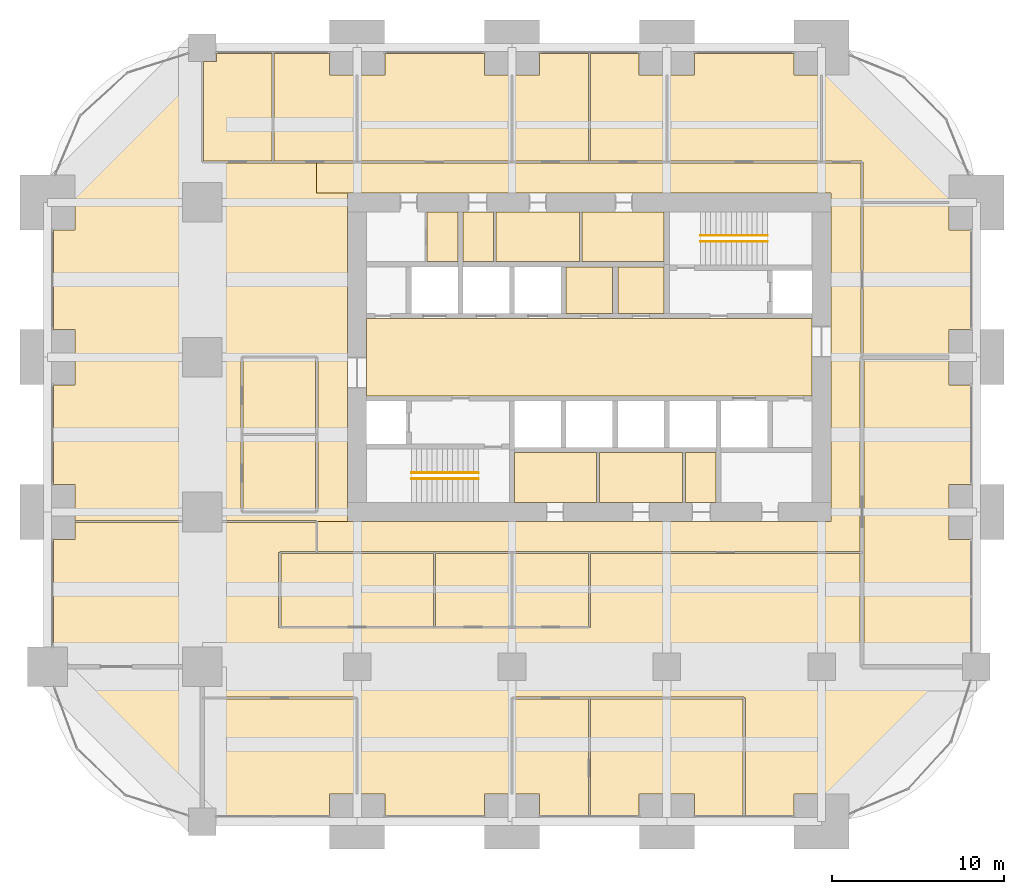
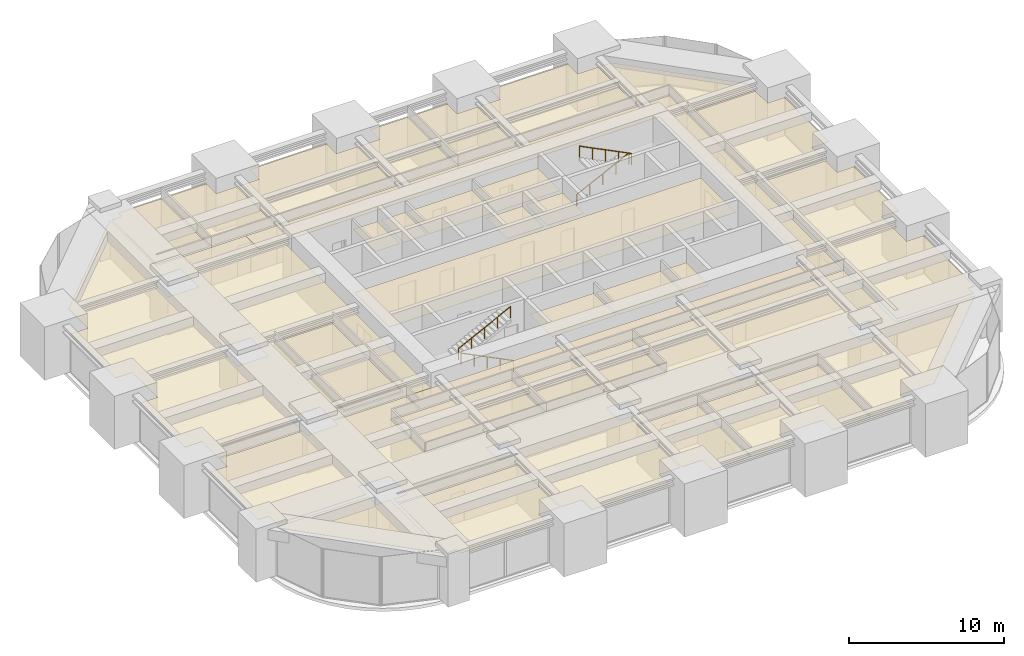
# One storey, part 39 of 39: 31 coverings, 4 railings.
"""IFC4 building model written with IfcOpenShell, lengths in metres."""

from ifc_helpers import new_model, si_unit, direction, frame, origin, origin_2d, place, context, subcontext, project, spatial, polyline, circle, outline, extrude, material, layer, layer_set, type_object, element, save


model = new_model("IFC4")

# Units and contexts
model_context = context("Model", 3, precision=1e-05, world=origin(), true_north=direction((0.0, 1.0)))
body_context = subcontext(model_context, "Body", "Model", "MODEL_VIEW")
ifc_project = project(units=[si_unit("LENGTHUNIT", "METRE"), si_unit("AREAUNIT", "SQUARE_METRE"), si_unit("VOLUMEUNIT", "CUBIC_METRE"), si_unit("PLANEANGLEUNIT", "RADIAN"), si_unit("MASSUNIT", "GRAM", prefix="KILO")], contexts=[model_context])

# Site, building, storey
site_placement = place(None, origin())
site = spatial("IfcSite", under=ifc_project, at=site_placement, CompositionType="ELEMENT")
building_placement = place(site_placement, origin())
building = spatial("IfcBuilding", under=site, at=building_placement, Name="Zorevar Civic Tower", CompositionType="ELEMENT")
storey_placement = place(building_placement, frame((0.0, 0.0, 230.199951171875)))
storey = spatial("IfcBuildingStorey", under=building, at=storey_placement, Name="L56", CompositionType="ELEMENT", Elevation=230.199951171875)

# Railings
ifc_material_1 = material(Name="Black steel handrail", Category="steel")
railing_type = type_object("IfcRailingType", Name="Handrail HR1 900", PredefinedType="HANDRAIL", material=ifc_material_1)
railing_1_placement = place(storey_placement, frame((25.050048828125, 19.925048828125, 0.150146484375)))
element("IfcRailing", 1, at=railing_1_placement, inside=storey, type_object=railing_type, Name="Handrail HR1 ST1 L56", PredefinedType="HANDRAIL", context=body_context, shape_type="SweptSolid", body=[
    extrude(circle(Radius=0.02392578125, at=origin_2d()), frame((0.0, 0.0, 0.8759765625), z_axis=(-0.894438388696, 0.0, 0.447191199406), x_axis=(0.0, -1.0, 0.0)), (0.0, 0.0, 1.0), 4.3603515625),
    extrude(circle(Radius=0.02099609375, at=origin_2d()), origin(), (0.0, 0.0, 1.0), 0.851806640625),
    extrude(circle(Radius=0.02099609375, at=origin_2d()), frame((-0.97509765625, 0.0, 0.487548828125)), (0.0, 0.0, 1.0), 0.851806640625),
    extrude(circle(Radius=0.02099609375, at=origin_2d()), frame((-1.9501953125, 0.0, 0.97509765625)), (0.0, 0.0, 1.0), 0.851806640625),
    extrude(circle(Radius=0.02099609375, at=origin_2d()), frame((-2.925048828125, 0.0, 1.46240234375)), (0.0, 0.0, 1.0), 0.851806640625),
    extrude(circle(Radius=0.02099609375, at=origin_2d()), frame((-3.900146484375, 0.0, 1.949951171875)), (0.0, 0.0, 1.0), 0.851806640625),
])
for number, where, name in (
    (2, (21.14990234375, 20.27490234375, 2.25), "Handrail HR1 ST1 L56"),
    (3, (37.949951171875, 34.074951171875, 0.150146484375), "Handrail HR1 ST2 L56"),
):
    element("IfcRailing", number, at=place(storey_placement, frame(where)), inside=storey, type_object=railing_type, Name=name, PredefinedType="HANDRAIL", context=body_context, shape_type="SweptSolid", body=[
        extrude(circle(Radius=0.02392578125, at=origin_2d()), frame((0.0, 0.0, 0.8759765625), z_axis=(0.894438388696, 0.0, 0.447191199406), x_axis=(0.0, 1.0, 0.0)), (0.0, 0.0, 1.0), 4.3603515625),
        extrude(circle(Radius=0.02099609375, at=origin_2d()), origin(), (0.0, 0.0, 1.0), 0.851806640625),
        extrude(circle(Radius=0.02099609375, at=origin_2d()), frame((0.97509765625, 0.0, 0.487548828125)), (0.0, 0.0, 1.0), 0.851806640625),
        extrude(circle(Radius=0.02099609375, at=origin_2d()), frame((1.9501953125, 0.0, 0.97509765625)), (0.0, 0.0, 1.0), 0.851806640625),
        extrude(circle(Radius=0.02099609375, at=origin_2d()), frame((2.925048828125, 0.0, 1.46240234375)), (0.0, 0.0, 1.0), 0.851806640625),
        extrude(circle(Radius=0.02099609375, at=origin_2d()), frame((3.900146484375, 0.0, 1.949951171875)), (0.0, 0.0, 1.0), 0.851806640625),
    ])
railing_2_placement = place(storey_placement, frame((41.85009765625, 33.72509765625, 2.25)))
element("IfcRailing", 4, at=railing_2_placement, inside=storey, type_object=railing_type, Name="Handrail HR1 ST2 L56", PredefinedType="HANDRAIL", context=body_context, shape_type="SweptSolid", body=[
    extrude(circle(Radius=0.02392578125, at=origin_2d()), frame((0.0, 0.0, 0.8759765625), z_axis=(-0.894438388696, 0.0, 0.447191199406), x_axis=(0.0, -1.0, 0.0)), (0.0, 0.0, 1.0), 4.3603515625),
    extrude(circle(Radius=0.02099609375, at=origin_2d()), origin(), (0.0, 0.0, 1.0), 0.851806640625),
    extrude(circle(Radius=0.02099609375, at=origin_2d()), frame((-0.97509765625, 0.0, 0.487548828125)), (0.0, 0.0, 1.0), 0.851806640625),
    extrude(circle(Radius=0.02099609375, at=origin_2d()), frame((-1.9501953125, 0.0, 0.97509765625)), (0.0, 0.0, 1.0), 0.851806640625),
    extrude(circle(Radius=0.02099609375, at=origin_2d()), frame((-2.925048828125, 0.0, 1.46240234375)), (0.0, 0.0, 1.0), 0.851806640625),
    extrude(circle(Radius=0.02099609375, at=origin_2d()), frame((-3.900146484375, 0.0, 1.949951171875)), (0.0, 0.0, 1.0), 0.851806640625),
])

# Coverings
ifc_material_2 = material(Name="Moisture-resistant gypsum board")
ifc_layer_1 = layer(ifc_material_2, 0.012451171875)
ifc_layer_set_1 = layer_set([ifc_layer_1], Name="Moisture-resistant ceiling SC3")
covering_type_1 = type_object("IfcCoveringType", Name="Moisture-resistant ceiling SC3", PredefinedType="CEILING", material=ifc_layer_set_1)
covering_1_placement = place(storey_placement, frame((0.0, 0.0, 3.0)))
element("IfcCovering", 5, at=covering_1_placement, inside=storey, type_object=covering_type_1, Name="Ceiling L56-05", PredefinedType="CEILING", context=body_context, shape_type="SweptSolid", body=[
    extrude(outline(polyline([(31.925048828125, 18.550048828125), (31.925048828125, 21.449951171875), (27.14990234375, 21.449951171875), (27.14990234375, 18.550048828125), (31.925048828125, 18.550048828125)])), origin(), (0.0, 0.0, 1.0), 0.012451171875),
])
covering_2_placement = place(storey_placement, frame((0.0, 0.0, 3.0)))
element("IfcCovering", 6, at=covering_2_placement, inside=storey, type_object=covering_type_1, Name="Ceiling L56-06", PredefinedType="CEILING", context=body_context, shape_type="SweptSolid", body=[
    extrude(outline(polyline([(36.925048828125, 18.550048828125), (36.925048828125, 21.449951171875), (32.074951171875, 21.449951171875), (32.074951171875, 18.550048828125), (36.925048828125, 18.550048828125)])), origin(), (0.0, 0.0, 1.0), 0.012451171875),
])
covering_3_placement = place(storey_placement, frame((0.0, 0.0, 3.0)))
element("IfcCovering", 7, at=covering_3_placement, inside=storey, type_object=covering_type_1, Name="Ceiling L56-07", PredefinedType="CEILING", context=body_context, shape_type="SweptSolid", body=[
    extrude(outline(polyline([(38.85009765625, 18.550048828125), (38.85009765625, 21.449951171875), (37.074951171875, 21.449951171875), (37.074951171875, 18.550048828125), (38.85009765625, 18.550048828125)])), origin(), (0.0, 0.0, 1.0), 0.012451171875),
])
covering_4_placement = place(storey_placement, frame((0.0, 0.0, 3.0)))
element("IfcCovering", 8, at=covering_4_placement, inside=storey, type_object=covering_type_1, Name="Ceiling L56-08", PredefinedType="CEILING", context=body_context, shape_type="SweptSolid", body=[
    extrude(outline(polyline([(35.85009765625, 32.550048828125), (35.85009765625, 35.449951171875), (31.074951171875, 35.449951171875), (31.074951171875, 32.550048828125), (35.85009765625, 32.550048828125)])), origin(), (0.0, 0.0, 1.0), 0.012451171875),
])
covering_5_placement = place(storey_placement, frame((0.0, 0.0, 3.0)))
element("IfcCovering", 9, at=covering_5_placement, inside=storey, type_object=covering_type_1, Name="Ceiling L56-09", PredefinedType="CEILING", context=body_context, shape_type="SweptSolid", body=[
    extrude(outline(polyline([(30.925048828125, 32.550048828125), (30.925048828125, 35.449951171875), (26.074951171875, 35.449951171875), (26.074951171875, 32.550048828125), (30.925048828125, 32.550048828125)])), origin(), (0.0, 0.0, 1.0), 0.012451171875),
])
covering_6_placement = place(storey_placement, frame((0.0, 0.0, 3.0)))
element("IfcCovering", 10, at=covering_6_placement, inside=storey, type_object=covering_type_1, Name="Ceiling L56-10", PredefinedType="CEILING", context=body_context, shape_type="SweptSolid", body=[
    extrude(outline(polyline([(25.925048828125, 32.550048828125), (25.925048828125, 35.449951171875), (24.14990234375, 35.449951171875), (24.14990234375, 32.550048828125), (25.925048828125, 32.550048828125)])), origin(), (0.0, 0.0, 1.0), 0.012451171875),
])
ifc_material_3 = material(Name="Mineral fibre tiles on a concealed grid")
ifc_layer_2 = layer(ifc_material_3, 0.02001953125)
ifc_layer_set_2 = layer_set([ifc_layer_2], Name="Suspended ceiling SC1")
covering_type_2 = type_object("IfcCoveringType", Name="Suspended ceiling SC1", PredefinedType="CEILING", material=ifc_layer_set_2)
covering_7_placement = place(storey_placement, frame((0.0, 0.0, 3.0)))
element("IfcCovering", 11, at=covering_7_placement, inside=storey, type_object=covering_type_2, Name="Ceiling L56-12", PredefinedType="CEILING", context=body_context, shape_type="SweptSolid", body=[
    extrude(outline(polyline([(23.85009765625, 32.550048828125), (23.85009765625, 35.449951171875), (22.06005859375, 35.449951171875), (22.06005859375, 32.550048828125), (23.85009765625, 32.550048828125)])), origin(), (0.0, 0.0, 1.0), 0.02001953125),
])
covering_8_placement = place(storey_placement, frame((0.0, 0.0, 3.0)))
element("IfcCovering", 12, at=covering_8_placement, inside=storey, type_object=covering_type_2, Name="Ceiling L56-16", PredefinedType="CEILING", context=body_context, shape_type="SweptSolid", body=[
    extrude(outline(polyline([(44.449951171875, 24.75), (44.449951171875, 29.25), (18.550048828125, 29.25), (18.550048828125, 24.75), (44.449951171875, 24.75)])), origin(), (0.0, 0.0, 1.0), 0.02001953125),
])
covering_9_placement = place(storey_placement, frame((0.0, 0.0, 3.0)))
element("IfcCovering", 13, at=covering_9_placement, inside=storey, type_object=covering_type_2, Name="Ceiling L56-17", PredefinedType="CEILING", context=body_context, shape_type="SweptSolid", body=[
    extrude(outline(polyline([(35.85009765625, 29.550048828125), (35.85009765625, 32.25), (33.14990234375, 32.25), (33.14990234375, 29.550048828125), (35.85009765625, 29.550048828125)])), origin(), (0.0, 0.0, 1.0), 0.02001953125),
])
covering_10_placement = place(storey_placement, frame((0.0, 0.0, 3.0)))
element("IfcCovering", 14, at=covering_10_placement, inside=storey, type_object=covering_type_2, Name="Ceiling L56-18", PredefinedType="CEILING", context=body_context, shape_type="SweptSolid", body=[
    extrude(outline(polyline([(32.85009765625, 29.550048828125), (32.85009765625, 32.25), (30.14990234375, 32.25), (30.14990234375, 29.550048828125), (32.85009765625, 29.550048828125)])), origin(), (0.0, 0.0, 1.0), 0.02001953125),
])
covering_11_placement = place(storey_placement, frame((0.0, 0.0, 3.0)))
element("IfcCovering", 15, at=covering_11_placement, inside=storey, type_object=covering_type_2, Name="Ceiling L56-19", PredefinedType="CEILING", context=body_context, shape_type="SweptSolid", body=[
    extrude(outline(polyline([(53.64990234375, 19.610107421875), (52.389892578125, 19.610107421875), (52.389892578125, 16.389892578125), (53.64990234375, 16.389892578125), (53.64990234375, 9.81005859375), (53.18994140625, 9.81005859375), (53.18994140625, 9.125), (47.47509765625, 9.125), (47.47509765625, 26.875), (52.389892578125, 26.875), (52.389892578125, 25.389892578125), (53.64990234375, 25.389892578125), (53.64990234375, 19.610107421875)])), origin(), (0.0, 0.0, 1.0), 0.02001953125),
])
covering_12_placement = place(storey_placement, frame((0.0, 0.0, 3.0)))
element("IfcCovering", 16, at=covering_12_placement, inside=storey, type_object=covering_type_2, Name="Ceiling L56-20", PredefinedType="CEILING", context=body_context, shape_type="SweptSolid", body=[
    extrude(outline(polyline([(53.64990234375, 28.610107421875), (52.389892578125, 28.610107421875), (52.389892578125, 27.125), (47.409912109375, 27.125), (47.409912109375, 35.93994140625), (52.389892578125, 35.93994140625), (52.389892578125, 34.389892578125), (53.64990234375, 34.389892578125), (53.64990234375, 28.610107421875)])), origin(), (0.0, 0.0, 1.0), 0.02001953125),
])
covering_13_placement = place(storey_placement, frame((0.0, 0.0, 3.0)))
element("IfcCovering", 17, at=covering_13_placement, inside=storey, type_object=covering_type_2, Name="Ceiling L56-21", PredefinedType="CEILING", context=body_context, shape_type="SweptSolid", body=[
    extrude(outline(polyline([(9.81005859375, 0.35009765625), (9.81005859375, 0.81005859375), (9.125, 0.81005859375), (9.125, 7.139892578125), (17.93994140625, 7.139892578125), (17.93994140625, 1.610107421875), (16.389892578125, 1.610107421875), (16.389892578125, 0.35009765625), (9.81005859375, 0.35009765625)])), origin(), (0.0, 0.0, 1.0), 0.02001953125),
])
covering_14_placement = place(storey_placement, frame((0.0, 0.0, 3.0)))
element("IfcCovering", 18, at=covering_14_placement, inside=storey, type_object=covering_type_2, Name="Ceiling L56-22", PredefinedType="CEILING", context=body_context, shape_type="SweptSolid", body=[
    extrude(outline(polyline([(31.43994140625, 7.139892578125), (31.43994140625, 0.35009765625), (28.610107421875, 0.35009765625), (28.610107421875, 1.610107421875), (27.06005859375, 1.610107421875), (27.06005859375, 7.139892578125), (31.43994140625, 7.139892578125)])), origin(), (0.0, 0.0, 1.0), 0.02001953125),
])
covering_15_placement = place(storey_placement, frame((0.0, 0.0, 3.0)))
element("IfcCovering", 19, at=covering_15_placement, inside=storey, type_object=covering_type_2, Name="Ceiling L56-23", PredefinedType="CEILING", context=body_context, shape_type="SweptSolid", body=[
    extrude(outline(polyline([(40.43994140625, 7.139892578125), (40.43994140625, 0.35009765625), (37.610107421875, 0.35009765625), (37.610107421875, 1.610107421875), (34.389892578125, 1.610107421875), (34.389892578125, 0.35009765625), (31.56005859375, 0.35009765625), (31.56005859375, 7.139892578125), (40.43994140625, 7.139892578125)])), origin(), (0.0, 0.0, 1.0), 0.02001953125),
])
covering_16_placement = place(storey_placement, frame((0.0, 0.0, 3.0)))
element("IfcCovering", 20, at=covering_16_placement, inside=storey, type_object=covering_type_2, Name="Ceiling L56-24", PredefinedType="CEILING", context=body_context, shape_type="SweptSolid", body=[
    extrude(outline(polyline([(13.56005859375, 15.590087890625), (22.43994140625, 15.590087890625), (22.43994140625, 11.35009765625), (13.56005859375, 11.35009765625), (13.56005859375, 15.590087890625)])), origin(), (0.0, 0.0, 1.0), 0.02001953125),
])
covering_17_placement = place(storey_placement, frame((0.0, 0.0, 3.0)))
element("IfcCovering", 21, at=covering_17_placement, inside=storey, type_object=covering_type_2, Name="Ceiling L56-25", PredefinedType="CEILING", context=body_context, shape_type="SweptSolid", body=[
    extrude(outline(polyline([(22.56005859375, 15.590087890625), (26.93994140625, 15.590087890625), (26.93994140625, 11.35009765625), (22.56005859375, 11.35009765625), (22.56005859375, 15.590087890625)])), origin(), (0.0, 0.0, 1.0), 0.02001953125),
])
covering_18_placement = place(storey_placement, frame((0.0, 0.0, 3.0)))
element("IfcCovering", 22, at=covering_18_placement, inside=storey, type_object=covering_type_2, Name="Ceiling L56-26", PredefinedType="CEILING", context=body_context, shape_type="SweptSolid", body=[
    extrude(outline(polyline([(27.06005859375, 15.590087890625), (31.43994140625, 15.590087890625), (31.43994140625, 11.35009765625), (27.06005859375, 11.35009765625), (27.06005859375, 15.590087890625)])), origin(), (0.0, 0.0, 1.0), 0.02001953125),
])
covering_19_placement = place(storey_placement, frame((0.0, 0.0, 3.0)))
element("IfcCovering", 23, at=covering_19_placement, inside=storey, type_object=covering_type_2, Name="Ceiling L56-27", PredefinedType="CEILING", context=body_context, shape_type="SweptSolid", body=[
    extrude(outline(polyline([(15.590087890625, 22.43994140625), (15.590087890625, 18.06005859375), (11.360107421875, 18.06005859375), (11.360107421875, 22.43994140625), (15.590087890625, 22.43994140625)])), origin(), (0.0, 0.0, 1.0), 0.02001953125),
])
covering_20_placement = place(storey_placement, frame((0.0, 0.0, 3.0)))
element("IfcCovering", 24, at=covering_20_placement, inside=storey, type_object=covering_type_2, Name="Ceiling L56-28", PredefinedType="CEILING", context=body_context, shape_type="SweptSolid", body=[
    extrude(outline(polyline([(11.360107421875, 22.56005859375), (11.360107421875, 26.93994140625), (15.590087890625, 26.93994140625), (15.590087890625, 22.56005859375), (11.360107421875, 22.56005859375)])), origin(), (0.0, 0.0, 1.0), 0.02001953125),
])
covering_21_placement = place(storey_placement, frame((0.0, 0.0, 3.0)))
element("IfcCovering", 25, at=covering_21_placement, inside=storey, type_object=covering_type_2, Name="Ceiling L56-29", PredefinedType="CEILING", context=body_context, shape_type="SweptSolid", body=[
    extrude(outline(polyline([(9.06005859375, 38.409912109375), (9.06005859375, 44.18994140625), (9.81005859375, 44.18994140625), (9.81005859375, 44.64990234375), (13.0400390625, 44.64990234375), (13.0400390625, 38.409912109375), (9.06005859375, 38.409912109375)])), origin(), (0.0, 0.0, 1.0), 0.02001953125),
])
covering_22_placement = place(storey_placement, frame((0.0, 0.0, 3.0)))
element("IfcCovering", 26, at=covering_22_placement, inside=storey, type_object=covering_type_2, Name="Ceiling L56-30", PredefinedType="CEILING", context=body_context, shape_type="SweptSolid", body=[
    extrude(outline(polyline([(13.159912109375, 38.409912109375), (13.159912109375, 44.64990234375), (16.389892578125, 44.64990234375), (16.389892578125, 43.389892578125), (17.93994140625, 43.389892578125), (17.93994140625, 38.409912109375), (13.159912109375, 38.409912109375)])), origin(), (0.0, 0.0, 1.0), 0.02001953125),
])
covering_23_placement = place(storey_placement, frame((0.0, 0.0, 3.0)))
element("IfcCovering", 27, at=covering_23_placement, inside=storey, type_object=covering_type_2, Name="Ceiling L56-31", PredefinedType="CEILING", context=body_context, shape_type="SweptSolid", body=[
    extrude(outline(polyline([(27.06005859375, 38.409912109375), (27.06005859375, 43.389892578125), (28.610107421875, 43.389892578125), (28.610107421875, 44.64990234375), (31.43994140625, 44.64990234375), (31.43994140625, 38.409912109375), (27.06005859375, 38.409912109375)])), origin(), (0.0, 0.0, 1.0), 0.02001953125),
])
covering_24_placement = place(storey_placement, frame((0.0, 0.0, 3.0)))
element("IfcCovering", 28, at=covering_24_placement, inside=storey, type_object=covering_type_2, Name="Ceiling L56-32", PredefinedType="CEILING", context=body_context, shape_type="SweptSolid", body=[
    extrude(outline(polyline([(31.56005859375, 38.409912109375), (31.56005859375, 44.64990234375), (34.389892578125, 44.64990234375), (34.389892578125, 43.389892578125), (35.93994140625, 43.389892578125), (35.93994140625, 38.409912109375), (31.56005859375, 38.409912109375)])), origin(), (0.0, 0.0, 1.0), 0.02001953125),
])
covering_25_placement = place(storey_placement, frame((0.0, 0.0, 3.0)))
element("IfcCovering", 29, at=covering_25_placement, inside=storey, type_object=covering_type_2, Name="Ceiling L56-33", PredefinedType="CEILING", context=body_context, shape_type="SweptSolid", body=[
    extrude(outline(polyline([(37.610107421875, 43.389892578125), (37.610107421875, 44.64990234375), (43.389892578125, 44.64990234375), (43.389892578125, 43.389892578125), (44.93994140625, 43.389892578125), (44.93994140625, 38.409912109375), (36.06005859375, 38.409912109375), (36.06005859375, 43.389892578125), (37.610107421875, 43.389892578125)])), origin(), (0.0, 0.0, 1.0), 0.02001953125),
])
covering_26_placement = place(storey_placement, frame((0.0, 0.0, 3.0)))
element("IfcCovering", 30, at=covering_26_placement, inside=storey, type_object=covering_type_2, Name="Ceiling L56-34", PredefinedType="CEILING", context=body_context, shape_type="SweptSolid", body=[
    extrude(outline(polyline([(1.159912109375, 8.875), (7.840087890625, 8.875), (7.840087890625, 7.840087890625), (8.875, 7.840087890625), (8.875, 0.83203125), (1.159912109375, 8.547119140625), (1.159912109375, 8.875)])), origin(), (0.0, 0.0, 1.0), 0.02001953125),
])
covering_27_placement = place(storey_placement, frame((0.0, 0.0, 3.0)))
element("IfcCovering", 31, at=covering_27_placement, inside=storey, type_object=covering_type_2, Name="Ceiling L56-35", PredefinedType="CEILING", context=body_context, shape_type="SweptSolid", body=[
    extrude(outline(polyline([(18.0, 38.2900390625), (18.0, 38.300048828125), (27.0, 38.300048828125), (27.0, 38.2900390625), (45.0, 38.2900390625), (45.0, 38.300048828125), (47.300048828125, 38.300048828125), (47.300048828125, 36.0), (47.2900390625, 36.0), (47.2900390625, 27.0), (47.22509765625, 27.0), (47.22509765625, 15.699951171875), (31.5, 15.699951171875), (31.5, 15.7099609375), (15.699951171875, 15.7099609375), (15.699951171875, 17.449951171875), (45.550048828125, 17.449951171875), (45.550048828125, 36.550048828125), (15.64990234375, 36.550048828125), (15.64990234375, 38.2900390625), (18.0, 38.2900390625)])), origin(), (0.0, 0.0, 1.0), 0.02001953125),
])
covering_28_placement = place(storey_placement, frame((0.0, 0.0, 3.0)))
element("IfcCovering", 32, at=covering_28_placement, inside=storey, type_object=covering_type_2, Name="Ceiling L56-36", PredefinedType="CEILING", context=body_context, shape_type="SweptSolid", body=[
    extrude(outline(polyline([(26.93994140625, 38.39990234375), (18.06005859375, 38.39990234375), (18.06005859375, 43.389892578125), (19.610107421875, 43.389892578125), (19.610107421875, 44.64990234375), (25.389892578125, 44.64990234375), (25.389892578125, 43.389892578125), (26.93994140625, 43.389892578125), (26.93994140625, 38.39990234375)])), origin(), (0.0, 0.0, 1.0), 0.02001953125),
])
covering_29_placement = place(storey_placement, frame((0.0, 0.0, 3.0)))
element("IfcCovering", 33, at=covering_29_placement, inside=storey, type_object=covering_type_2, Name="Ceiling L56-37", PredefinedType="CEILING", context=body_context, shape_type="SweptSolid", body=[
    extrude(outline(polyline([(47.3505859375, 38.40087890625), (45.06103515625, 38.40087890625), (45.06103515625, 43.389892578125), (45.90283203125, 43.389892578125), (52.389892578125, 36.90283203125), (52.389892578125, 36.06005859375), (47.39990234375, 36.06005859375), (47.40087890625, 38.35009765625), (47.35107421875, 38.35107421875), (47.3505859375, 38.40087890625)])), origin(), (0.0, 0.0, 1.0), 0.02001953125),
])
covering_30_placement = place(storey_placement, frame((0.0, 0.0, 3.0)))
element("IfcCovering", 34, at=covering_30_placement, inside=storey, type_object=covering_type_2, Name="Ceiling L56-38", PredefinedType="CEILING", context=body_context, shape_type="SweptSolid", body=[
    extrude(outline(polyline([(0.35009765625, 16.389892578125), (1.610107421875, 16.389892578125), (1.610107421875, 17.39990234375), (7.840087890625, 17.39990234375), (7.840087890625, 16.840087890625), (10.159912109375, 16.840087890625), (10.159912109375, 17.39990234375), (15.60009765625, 17.39990234375), (15.60009765625, 15.7099609375), (13.5, 15.7099609375), (13.5, 15.64990234375), (13.43994140625, 15.64990234375), (13.43994140625, 11.300048828125), (13.5, 11.300048828125), (13.5, 11.25), (31.5, 11.25), (31.5, 11.300048828125), (31.56005859375, 11.300048828125), (31.56005859375, 15.60009765625), (47.22509765625, 15.60009765625), (47.22509765625, 9.0), (47.35009765625, 9.0), (47.35009765625, 8.875), (53.16796875, 8.875), (45.90283203125, 1.610107421875), (43.389892578125, 1.610107421875), (43.389892578125, 0.35009765625), (40.56005859375, 0.35009765625), (40.56005859375, 7.199951171875), (40.5, 7.199951171875), (40.5, 7.260009765625), (27.0, 7.260009765625), (27.0, 7.199951171875), (26.93994140625, 7.199951171875), (26.93994140625, 1.610107421875), (25.389892578125, 1.610107421875), (25.389892578125, 0.35009765625), (19.610107421875, 0.35009765625), (19.610107421875, 1.610107421875), (18.06005859375, 1.610107421875), (18.06005859375, 7.199951171875), (18.0, 7.199951171875), (18.0, 7.260009765625), (9.125, 7.260009765625), (9.125, 7.840087890625), (10.159912109375, 7.840087890625), (10.159912109375, 10.159912109375), (7.840087890625, 10.159912109375), (7.840087890625, 9.125), (1.159912109375, 9.125), (1.159912109375, 10.159912109375), (0.35009765625, 10.159912109375), (0.35009765625, 16.389892578125)]), holes=[polyline([(18.81005859375, 8.18994140625), (18.81005859375, 9.81005859375), (17.18994140625, 9.81005859375), (17.18994140625, 8.18994140625), (18.81005859375, 8.18994140625)]), polyline([(26.18994140625, 9.81005859375), (26.18994140625, 8.18994140625), (27.81005859375, 8.18994140625), (27.81005859375, 9.81005859375), (26.18994140625, 9.81005859375)]), polyline([(36.81005859375, 9.81005859375), (35.18994140625, 9.81005859375), (35.18994140625, 8.18994140625), (36.81005859375, 8.18994140625), (36.81005859375, 9.81005859375)]), polyline([(44.18994140625, 8.18994140625), (45.81005859375, 8.18994140625), (45.81005859375, 9.81005859375), (44.18994140625, 9.81005859375), (44.18994140625, 8.18994140625)])]), origin(), (0.0, 0.0, 1.0), 0.02001953125),
])
covering_31_placement = place(storey_placement, frame((0.0, 0.0, 3.0)))
element("IfcCovering", 35, at=covering_31_placement, inside=storey, type_object=covering_type_2, Name="Ceiling L56-39", PredefinedType="CEILING", context=body_context, shape_type="SweptSolid", body=[
    extrude(outline(polyline([(8.93994140625, 44.18994140625), (8.93994140625, 38.35107421875), (9.0, 38.35009765625), (9.000244140625, 38.290283203125), (15.64990234375, 38.2900390625), (15.650390625, 36.54931640625), (17.448974609375, 36.549072265625), (17.448974609375, 17.450927734375), (15.65087890625, 17.450927734375), (15.64990234375, 17.5009765625), (10.159912109375, 17.5009765625), (10.159912109375, 19.159912109375), (7.840087890625, 19.159912109375), (7.840087890625, 17.5009765625), (1.610107421875, 17.5009765625), (1.610107421875, 19.610107421875), (0.35107421875, 19.610107421875), (0.35107421875, 25.389892578125), (1.610107421875, 25.389892578125), (1.610107421875, 28.610107421875), (0.35107421875, 28.610107421875), (0.35107421875, 34.389892578125), (1.610107421875, 34.389892578125), (1.610107421875, 36.90283203125), (8.897216796875, 44.18994140625), (8.93994140625, 44.18994140625)]), holes=[polyline([(11.299072265625, 27.0009765625), (11.239013671875, 27.00048828125), (11.239013671875, 18.0), (11.299072265625, 17.9990234375), (11.299072265625, 17.939453125), (15.64990234375, 17.93896484375), (15.65087890625, 17.9990234375), (15.7109375, 17.99951171875), (15.7109375, 27.0), (15.65087890625, 27.0009765625), (15.650390625, 27.060791015625), (11.300048828125, 27.06103515625), (11.299072265625, 27.0009765625)]), polyline([(10.159912109375, 25.840087890625), (10.159912109375, 28.159912109375), (7.840087890625, 28.159912109375), (7.840087890625, 25.840087890625), (10.159912109375, 25.840087890625)]), polyline([(7.840087890625, 34.840087890625), (10.159912109375, 34.840087890625), (10.159912109375, 37.159912109375), (7.840087890625, 37.159912109375), (7.840087890625, 34.840087890625)])]), origin(), (0.0, 0.0, 1.0), 0.02001953125),
])

save(model, "model.ifc")
